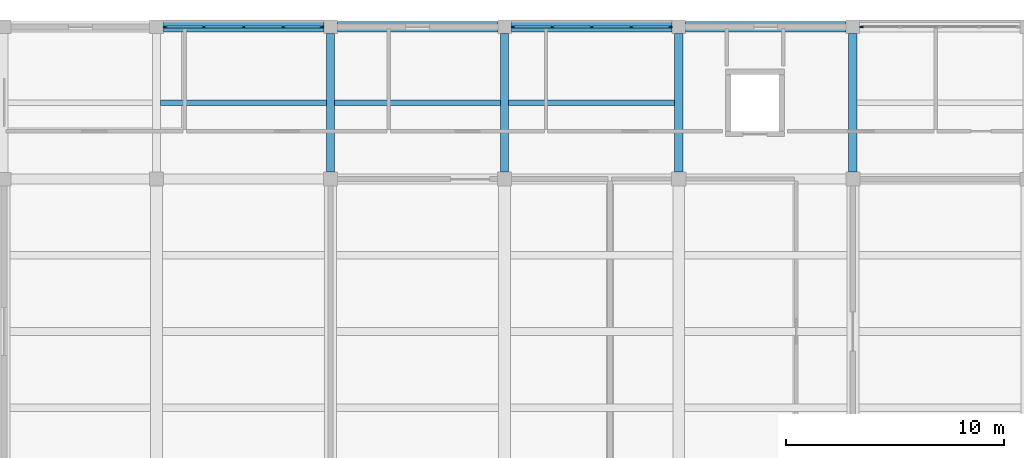
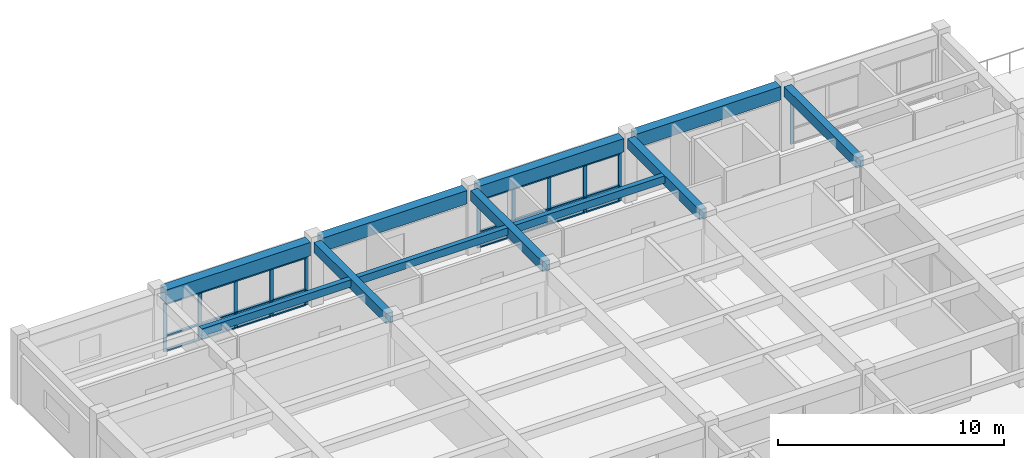
# One storey, part 7 of 22: 35 members, 11 beams, 3 elements without a shape of their own.
"""IFC4 building model written with IfcOpenShell, lengths in metres."""

import ifcopenshell
import ifcopenshell.guid

model = None  # the IFC model being written
_history = None  # IfcOwnerHistory: only IFC2X3 demands one
_inside = {}  # id of a spatial element -> (the spatial element, [elements in it])
_under = {}  # id of a project, library or spatial element -> (it, [spatial elements below it])
_declared = {}  # id of a project -> (the project, [libraries it declares])
_typed = {}  # id of a type object -> (the type object, [elements of that type])
_made_of = {}  # id of a material, layer set ... -> (it, [elements and type objects made of it])


def new_model(schema):
    """Start an empty IFC model of exactly this schema.

    Asked for "IFC4X3", IfcOpenShell would pick the latest addendum, in which some entities
    have other attributes; the version numbers below select the first issue.
    IFC2X3 requires an IfcOwnerHistory on every rooted entity: one is made here for all.
    """
    global model, _history
    if schema == "IFC4X3":
        model = ifcopenshell.file(schema_version=(4, 3, 0, 0))
    else:
        model = ifcopenshell.file(schema=schema)
    _inside.clear()
    _under.clear()
    _declared.clear()
    _typed.clear()
    _made_of.clear()
    _history = None
    if model.schema == "IFC2X3":
        org = make("IfcOrganization", Name="unknown")
        user = make(
            "IfcPersonAndOrganization",
            ThePerson=make("IfcPerson", FamilyName="unknown"),
            TheOrganization=org,
        )
        app = make(
            "IfcApplication",
            ApplicationDeveloper=org,
            Version="unknown",
            ApplicationFullName="unknown",
            ApplicationIdentifier="unknown",
        )
        _history = make(
            "IfcOwnerHistory",
            OwningUser=user,
            OwningApplication=app,
            ChangeAction="ADDED",
            CreationDate=0,
        )
    return model


def make(cls, **values):
    """One entity of the class cls with the attributes given. An attribute that is None is left unset."""
    return model.create_entity(
        cls, **{name: value for name, value in values.items() if value is not None}
    )


def rooted(cls, **values):
    """An entity with a GlobalId (a new one), such as an element, a storey or a relation."""
    return make(cls, GlobalId=ifcopenshell.guid.new(), OwnerHistory=_history, **values)


def si_unit(unit_type, name, prefix=None):
    """IfcSIUnit, for example si_unit("LENGTHUNIT", "METRE", prefix="MILLI")."""
    return make("IfcSIUnit", UnitType=unit_type, Prefix=prefix, Name=name)


def assignment(units):
    """IfcUnitAssignment: the units of a project."""
    return None if units is None else make("IfcUnitAssignment", Units=units)


def point(xyz):
    """IfcCartesianPoint."""
    return None if xyz is None else make("IfcCartesianPoint", Coordinates=xyz)


def direction(xyz):
    """IfcDirection."""
    return None if xyz is None else make("IfcDirection", DirectionRatios=xyz)


def frame(location, z_axis=None, x_axis=None):
    """IfcAxis2Placement3D, a coordinate frame: its origin and axes. An axis left out is left unset."""
    return make(
        "IfcAxis2Placement3D",
        Location=point(location),
        Axis=direction(z_axis),
        RefDirection=direction(x_axis),
    )


def frame_2d(location, x_axis=None):
    """IfcAxis2Placement2D, a coordinate frame in the plane: its origin and x axis."""
    return make(
        "IfcAxis2Placement2D", Location=point(location), RefDirection=direction(x_axis)
    )


def origin():
    """The frame at (0, 0, 0) with its axes left unset."""
    return frame((0.0, 0.0, 0.0))


def origin_2d():
    """The frame at (0, 0) in the plane with its x axis left unset."""
    return frame_2d((0.0, 0.0))


def place(relative_to, where):
    """IfcLocalPlacement: puts the frame where relative to a parent placement (None: the world)."""
    return make(
        "IfcLocalPlacement", PlacementRelTo=relative_to, RelativePlacement=where
    )


def context(
    kind, dimensions, precision=None, world=None, true_north=None, identifier=None
):
    """IfcGeometricRepresentationContext, for example the 3D "Model" context."""
    return make(
        "IfcGeometricRepresentationContext",
        ContextIdentifier=identifier,
        ContextType=kind,
        CoordinateSpaceDimension=dimensions,
        Precision=precision,
        WorldCoordinateSystem=world,
        TrueNorth=true_north,
    )


def subcontext(parent, identifier, kind, view, scale=None):
    """IfcGeometricRepresentationSubContext, for example "Body" below "Model"."""
    return make(
        "IfcGeometricRepresentationSubContext",
        ContextIdentifier=identifier,
        ContextType=kind,
        ParentContext=parent,
        TargetScale=scale,
        TargetView=view,
    )


def project(units=None, contexts=None):
    """IfcProject with its units and contexts."""
    return rooted(
        "IfcProject",
        Name="project",
        RepresentationContexts=contexts,
        UnitsInContext=assignment(units),
    )


def spatial(cls, under=None, at=None, **own):
    """A site, building, storey or space (cls), placed at a placement, below another one or the project."""
    s = rooted(cls, ObjectPlacement=at, **own)
    if under is not None:
        _under.setdefault(under.id(), (under, []))[1].append(s)
    return s


def profile(cls, at=None, kind="AREA", **sizes):
    """A parametric profile (cls). Its sizes go by their IFC names, for example OverallWidth=200.0."""
    return make(cls, ProfileType=kind, Position=at, **sizes)


def rectangle(**sizes):
    """IfcRectangleProfileDef."""
    return profile("IfcRectangleProfileDef", **sizes)


def extrude(swept, where, along, depth):
    """IfcExtrudedAreaSolid: the profile swept, set in the frame where, extruded along a direction by depth."""
    return make(
        "IfcExtrudedAreaSolid",
        SweptArea=swept,
        Position=where,
        ExtrudedDirection=direction(along),
        Depth=depth,
    )


def shape(context_of_items, identifier, shape_type, items):
    """IfcShapeRepresentation: the items that make up one representation, for example the "Body"."""
    return make(
        "IfcShapeRepresentation",
        ContextOfItems=context_of_items,
        RepresentationIdentifier=identifier,
        RepresentationType=shape_type,
        Items=items,
    )


def material(Name=None, Category=None):
    """IfcMaterial."""
    return make("IfcMaterial", Name=Name, Category=Category)


def layer(
    of_material, thickness, ventilated=None, Name=None, Category=None, Priority=None
):
    """IfcMaterialLayer: one layer of a wall or slab, of a material (None: an air gap)."""
    return make(
        "IfcMaterialLayer",
        Material=of_material,
        LayerThickness=thickness,
        IsVentilated=ventilated,
        Name=Name,
        Category=Category,
        Priority=Priority,
    )


def layer_set(layers, Name=None):
    """IfcMaterialLayerSet."""
    return make("IfcMaterialLayerSet", MaterialLayers=layers, LayerSetName=Name)


def material_profile(
    of_material, cross_section, Name=None, Category=None, Priority=None
):
    """IfcMaterialProfile: a cross section and its material."""
    return make(
        "IfcMaterialProfile",
        Name=Name,
        Material=of_material,
        Profile=cross_section,
        Priority=Priority,
        Category=Category,
    )


def profile_set(profiles, Name=None, composite=None):
    """IfcMaterialProfileSet."""
    return make(
        "IfcMaterialProfileSet",
        Name=Name,
        MaterialProfiles=profiles,
        CompositeProfile=composite,
    )


def made_of(thing, what):
    """Note that an element or type object is made of a material, layer set ...; save() writes the relation."""
    if what is not None:
        _made_of.setdefault(what.id(), (what, []))[1].append(thing)
    return thing


def type_object(cls, material=None, **own):
    """A type object (cls), such as IfcWallType, which elements share."""
    return made_of(rooted(cls, **own), material)


def element(
    cls,
    number,
    at=None,
    inside=None,
    cuts=None,
    type_object=None,
    material=None,
    context=None,
    identifier="Body",
    shape_type=None,
    held_by="IfcProductDefinitionShape",
    body=None,
    shapes=None,
    **own,
):
    """One element of the class cls, such as IfcWall. Its Tag is "e" and its number.

    at: its placement. inside: the storey or other place that contains it. cuts: it is an
    opening in that element (IfcRelVoidsElement). A single representation is given by context,
    identifier, shape_type and body (its items); several are given by shapes. held_by: the class
    of the entity that holds the representations. save() writes the other relations.
    """
    e = rooted(cls, Tag="e%d" % number, ObjectPlacement=at, **own)
    if body is not None:
        shapes = [shape(context, identifier, shape_type, body)]
    if shapes is not None:
        e.Representation = make(held_by, Representations=shapes)
    if inside is not None:
        _inside.setdefault(inside.id(), (inside, []))[1].append(e)
    if cuts is not None:
        rooted(
            "IfcRelVoidsElement", RelatingBuildingElement=cuts, RelatedOpeningElement=e
        )
    if type_object is not None:
        _typed.setdefault(type_object.id(), (type_object, []))[1].append(e)
    return made_of(e, material)


def aggregate(whole, parts):
    """IfcRelAggregates: a whole, such as a stair, and the parts it consists of."""
    return rooted("IfcRelAggregates", RelatingObject=whole, RelatedObjects=parts)


def save(model, path):
    """Write the relations noted so far, then the file.

    IfcRelAggregates (storeys below a building ...), IfcRelContainedInSpatialStructure (elements
    in a storey), IfcRelDefinesByType, IfcRelAssociatesMaterial and IfcRelDeclares: one each for
    every whole, place, type object, material and project.
    """
    for whole, parts in _under.values():
        aggregate(whole, parts)
    for where, things in _inside.values():
        rooted(
            "IfcRelContainedInSpatialStructure",
            RelatedElements=things,
            RelatingStructure=where,
        )
    for kind, things in _typed.values():
        rooted("IfcRelDefinesByType", RelatedObjects=things, RelatingType=kind)
    for what, things in _made_of.values():
        rooted("IfcRelAssociatesMaterial", RelatedObjects=things, RelatingMaterial=what)
    for by, libraries in _declared.values():
        rooted("IfcRelDeclares", RelatingContext=by, RelatedDefinitions=libraries)
    model.write(path)


model = new_model("IFC4")

# Units and contexts
model_context = context("Model", 3, precision=1e-05, world=origin(), true_north=direction((0.0, 1.0)))
body_context = subcontext(model_context, "Body", "Model", "MODEL_VIEW")
ifc_project = project(units=[si_unit("LENGTHUNIT", "METRE"), si_unit("AREAUNIT", "SQUARE_METRE"), si_unit("VOLUMEUNIT", "CUBIC_METRE"), si_unit("PLANEANGLEUNIT", "RADIAN"), si_unit("MASSUNIT", "GRAM", prefix="KILO")], contexts=[model_context])

# Site, building, storey
site_placement = place(None, origin())
site = spatial("IfcSite", under=ifc_project, at=site_placement, CompositionType="ELEMENT")
building_placement = place(site_placement, origin())
building = spatial("IfcBuilding", under=site, at=building_placement, Name="Naurynzar Civic Courthouse", CompositionType="ELEMENT")
storey_placement = place(building_placement, frame((0.0, 0.0, 25.800048828125)))
storey = spatial("IfcBuildingStorey", under=building, at=storey_placement, Name="L07", CompositionType="ELEMENT", Elevation=25.800048828125)

# Beams
ifc_material_1 = material(Name="Concrete C40/50", Category="concrete")
ifc_material_profile_1 = material_profile(ifc_material_1, rectangle(XDim=0.25, YDim=0.39990234375, at=origin_2d()), Name="RCB 250x400")
ifc_profile_set_1 = profile_set([ifc_material_profile_1], Name="Concrete C40/50")
beam_type_1 = type_object("IfcBeamType", Name="BM-JST-250x400", PredefinedType="JOIST", material=ifc_profile_set_1)
for number, where, z_axis, x_axis, name in (
    (1, (69.1875, 68.5, 3.27001953125), (1.0, 0.0, 0.0), (0.0, 1.0, 0.0), "V2 secondary rib 996 L07"),
    (2, (77.1875, 68.5, 3.27001953125), (1.0, 0.0, 0.0), (0.0, 1.0, 0.0), "V2 secondary rib 997 L07"),
    (3, (85.1875, 68.5, 3.27001953125), (1.0, 0.0, 0.0), (0.0, 1.0, 0.0), "V2 secondary rib 998 L07"),
):
    element("IfcBeam", number, at=place(storey_placement, frame(where, z_axis=z_axis, x_axis=x_axis)), inside=storey, type_object=beam_type_1, Name=name, PredefinedType="JOIST", context=body_context, shape_type="SweptSolid", body=[
        extrude(rectangle(XDim=0.25, YDim=0.39990234375, at=origin_2d()), origin(), (0.0, 0.0, 1.0), 7.625),
    ])
ifc_material_2 = material(Name="Concrete C40/50", Category="concrete")
ifc_material_profile_2 = material_profile(ifc_material_2, rectangle(XDim=0.375, YDim=0.550048828125, at=origin_2d()), Name="RCB 375x550")
ifc_profile_set_2 = profile_set([ifc_material_profile_2], Name="Concrete C40/50")
beam_type_2 = type_object("IfcBeamType", Name="BM-RC-375x550", PredefinedType="BEAM", material=ifc_profile_set_2)
for number, where, z_axis, x_axis, name in (
    (4, (77.0, 65.324951171875, 3.195068359375), (0.0, 1.0, 0.0), (-1.0, 0.0, 0.0), "V2 girder Y-962 L07"),
    (5, (85.0, 65.324951171875, 3.195068359375), (0.0, 1.0, 0.0), (-1.0, 0.0, 0.0), "V2 girder Y-965 L07"),
    (6, (93.0, 65.324951171875, 3.195068359375), (0.0, 1.0, 0.0), (-1.0, 0.0, 0.0), "V2 girder Y-968 L07"),
    (7, (101.0, 65.324951171875, 3.195068359375), (0.0, 1.0, 0.0), (-1.0, 0.0, 0.0), "V2 girder Y-971 L07"),
):
    element("IfcBeam", number, at=place(storey_placement, frame(where, z_axis=z_axis, x_axis=x_axis)), inside=storey, type_object=beam_type_2, Name=name, PredefinedType="BEAM", context=body_context, shape_type="SweptSolid", body=[
        extrude(rectangle(XDim=0.375, YDim=0.550048828125, at=origin_2d()), origin(), (0.0, 0.0, 1.0), 6.362548828125),
    ])
ifc_material_3 = material(Name="Concrete C40/50", Category="concrete")
ifc_material_profile_3 = material_profile(ifc_material_3, rectangle(XDim=0.47509765625, YDim=0.72509765625, at=origin_2d()), Name="RCB 475x725")
ifc_profile_set_3 = profile_set([ifc_material_profile_3], Name="Concrete C40/50")
beam_type_3 = type_object("IfcBeamType", Name="BM-RC-475x725", PredefinedType="SPANDREL", material=ifc_profile_set_3)
for number, where, z_axis, x_axis, name in (
    (8, (69.3125, 72.0, 3.107421875), (1.0, 0.0, 0.0), (0.0, 1.0, 0.0), "V2 beam X-949 L07"),
    (9, (77.3125, 72.0, 3.107421875), (1.0, 0.0, 0.0), (0.0, 1.0, 0.0), "V2 beam X-950 L07"),
    (10, (85.3125, 72.0, 3.107421875), (1.0, 0.0, 0.0), (0.0, 1.0, 0.0), "V2 beam X-951 L07"),
    (11, (93.3125, 72.0, 3.107421875), (1.0, 0.0, 0.0), (0.0, 1.0, 0.0), "V2 beam X-952 L07"),
):
    element("IfcBeam", number, at=place(storey_placement, frame(where, z_axis=z_axis, x_axis=x_axis)), inside=storey, type_object=beam_type_3, Name=name, PredefinedType="SPANDREL", context=body_context, shape_type="SweptSolid", body=[
        extrude(rectangle(XDim=0.47509765625, YDim=0.72509765625, at=origin_2d()), origin(), (0.0, 0.0, 1.0), 7.375),
    ])

# Curtain wall, members
ifc_material_4 = material(Name="Aluminium 6063-T6", Category="aluminium")
ifc_layer = layer(ifc_material_4, 0.159912109375)
ifc_layer_set = layer_set([ifc_layer], Name="CW-UNIT-1800")
curtain_wall_type = type_object("IfcCurtainWallType", Name="CW-UNIT-1800", PredefinedType="NOTDEFINED", material=ifc_layer_set)
curtain_wall_1_placement = place(storey_placement, origin())
curtain_wall_1 = element("IfcCurtainWall", 12, at=curtain_wall_1_placement, inside=storey, type_object=curtain_wall_type, Name="V2 unitised curtain wall 48 L07", PredefinedType="NOTDEFINED")
ifc_material_5 = material(Name="Aluminium 6063-T6", Category="aluminium")
ifc_material_profile_4 = material_profile(ifc_material_5, rectangle(XDim=0.070068359375, YDim=0.179931640625, at=origin_2d()), Name="ALU MULLION 70x180")
ifc_profile_set_4 = profile_set([ifc_material_profile_4], Name="Aluminium 6063-T6")
member_type_1 = type_object("IfcMemberType", Name="CWM-70x180", PredefinedType="MULLION", material=ifc_profile_set_4)
member_1_placement = place(storey_placement, frame((69.3974609375, 72.0, 0.0), z_axis=(0.0, 0.0, 1.0), x_axis=(0.0, 1.0, 0.0)))
member_1 = element("IfcMember", 13, at=member_1_placement, type_object=member_type_1, Name="CW-02 mullion 1", PredefinedType="MULLION", context=body_context, shape_type="SweptSolid", body=[
    extrude(rectangle(XDim=0.070068359375, YDim=0.179931640625, at=origin_2d()), origin(), (0.0, 0.0, 1.0), 2.599853515625),
])
member_2_placement = place(storey_placement, frame((71.18115234375, 72.0, 0.0), z_axis=(0.0, 0.0, 1.0), x_axis=(0.0, 1.0, 0.0)))
member_2 = element("IfcMember", 14, at=member_2_placement, type_object=member_type_1, Name="CW-02 mullion 2", PredefinedType="MULLION", context=body_context, shape_type="SweptSolid", body=[
    extrude(rectangle(XDim=0.070068359375, YDim=0.179931640625, at=origin_2d()), origin(), (0.0, 0.0, 1.0), 2.599853515625),
])
member_3_placement = place(storey_placement, frame((73.0, 72.0, 0.0), z_axis=(0.0, 0.0, 1.0), x_axis=(0.0, 1.0, 0.0)))
member_3 = element("IfcMember", 15, at=member_3_placement, type_object=member_type_1, Name="CW-02 mullion 3", PredefinedType="MULLION", context=body_context, shape_type="SweptSolid", body=[
    extrude(rectangle(XDim=0.070068359375, YDim=0.179931640625, at=origin_2d()), origin(), (0.0, 0.0, 1.0), 2.599853515625),
])
member_4_placement = place(storey_placement, frame((74.81884765625, 72.0, 0.0), z_axis=(0.0, 0.0, 1.0), x_axis=(0.0, 1.0, 0.0)))
member_4 = element("IfcMember", 16, at=member_4_placement, type_object=member_type_1, Name="CW-02 mullion 4", PredefinedType="MULLION", context=body_context, shape_type="SweptSolid", body=[
    extrude(rectangle(XDim=0.070068359375, YDim=0.179931640625, at=origin_2d()), origin(), (0.0, 0.0, 1.0), 2.599853515625),
])
member_5_placement = place(storey_placement, frame((76.6025390625, 72.0, 0.0), z_axis=(0.0, 0.0, 1.0), x_axis=(0.0, 1.0, 0.0)))
member_5 = element("IfcMember", 17, at=member_5_placement, type_object=member_type_1, Name="CW-02 mullion 5", PredefinedType="MULLION", context=body_context, shape_type="SweptSolid", body=[
    extrude(rectangle(XDim=0.070068359375, YDim=0.179931640625, at=origin_2d()), origin(), (0.0, 0.0, 1.0), 2.599853515625),
])

curtain_wall_2_placement = place(storey_placement, origin())
curtain_wall_2 = element("IfcCurtainWall", 18, at=curtain_wall_2_placement, inside=storey, type_object=curtain_wall_type, Name="V2 unitised curtain wall 49 L07", PredefinedType="NOTDEFINED")
member_6_placement = place(storey_placement, frame((85.3974609375, 72.0, 0.0), z_axis=(0.0, 0.0, 1.0), x_axis=(0.0, 1.0, 0.0)))
member_6 = element("IfcMember", 19, at=member_6_placement, type_object=member_type_1, Name="CW-02 mullion 1", PredefinedType="MULLION", context=body_context, shape_type="SweptSolid", body=[
    extrude(rectangle(XDim=0.070068359375, YDim=0.179931640625, at=origin_2d()), origin(), (0.0, 0.0, 1.0), 2.599853515625),
])
member_7_placement = place(storey_placement, frame((87.18115234375, 72.0, 0.0), z_axis=(0.0, 0.0, 1.0), x_axis=(0.0, 1.0, 0.0)))
member_7 = element("IfcMember", 20, at=member_7_placement, type_object=member_type_1, Name="CW-02 mullion 2", PredefinedType="MULLION", context=body_context, shape_type="SweptSolid", body=[
    extrude(rectangle(XDim=0.070068359375, YDim=0.179931640625, at=origin_2d()), origin(), (0.0, 0.0, 1.0), 2.599853515625),
])
member_8_placement = place(storey_placement, frame((89.0, 72.0, 0.0), z_axis=(0.0, 0.0, 1.0), x_axis=(0.0, 1.0, 0.0)))
member_8 = element("IfcMember", 21, at=member_8_placement, type_object=member_type_1, Name="CW-02 mullion 3", PredefinedType="MULLION", context=body_context, shape_type="SweptSolid", body=[
    extrude(rectangle(XDim=0.070068359375, YDim=0.179931640625, at=origin_2d()), origin(), (0.0, 0.0, 1.0), 2.599853515625),
])
member_9_placement = place(storey_placement, frame((90.81884765625, 72.0, 0.0), z_axis=(0.0, 0.0, 1.0), x_axis=(0.0, 1.0, 0.0)))
member_9 = element("IfcMember", 22, at=member_9_placement, type_object=member_type_1, Name="CW-02 mullion 4", PredefinedType="MULLION", context=body_context, shape_type="SweptSolid", body=[
    extrude(rectangle(XDim=0.070068359375, YDim=0.179931640625, at=origin_2d()), origin(), (0.0, 0.0, 1.0), 2.599853515625),
])
member_10_placement = place(storey_placement, frame((92.6025390625, 72.0, 0.0), z_axis=(0.0, 0.0, 1.0), x_axis=(0.0, 1.0, 0.0)))
member_10 = element("IfcMember", 23, at=member_10_placement, type_object=member_type_1, Name="CW-02 mullion 5", PredefinedType="MULLION", context=body_context, shape_type="SweptSolid", body=[
    extrude(rectangle(XDim=0.070068359375, YDim=0.179931640625, at=origin_2d()), origin(), (0.0, 0.0, 1.0), 2.599853515625),
])

# Curtain wall, member
curtain_wall_3_placement = place(storey_placement, origin())
curtain_wall_3 = element("IfcCurtainWall", 24, at=curtain_wall_3_placement, inside=storey, type_object=curtain_wall_type, Name="V2 unitised curtain wall 50 L07", PredefinedType="NOTDEFINED")
member_11_placement = place(storey_placement, frame((101.3974609375, 72.0, 0.0), z_axis=(0.0, 0.0, 1.0), x_axis=(0.0, 1.0, 0.0)))
member_11 = element("IfcMember", 25, at=member_11_placement, type_object=member_type_1, Name="CW-02 mullion 1", PredefinedType="MULLION", context=body_context, shape_type="SweptSolid", body=[
    extrude(rectangle(XDim=0.070068359375, YDim=0.179931640625, at=origin_2d()), origin(), (0.0, 0.0, 1.0), 2.599853515625),
])
aggregate(curtain_wall_3, [member_11])

# Member
ifc_material_6 = material(Name="Aluminium 6063-T6", Category="aluminium")
ifc_material_profile_5 = material_profile(ifc_material_6, rectangle(XDim=0.1298828125, YDim=0.070068359375, at=origin_2d()), Name="ALU TRANSOM 70x130")
ifc_profile_set_5 = profile_set([ifc_material_profile_5], Name="Aluminium 6063-T6")
member_type_2 = type_object("IfcMemberType", Name="CWT-70x130", PredefinedType="USERDEFINED", material=ifc_profile_set_5)
member_12_placement = place(storey_placement, frame((69.4326171875, 72.0, 0.034912109375), z_axis=(1.0, 0.0, 0.0), x_axis=(0.0, 1.0, 0.0)))
member_12 = element("IfcMember", 26, at=member_12_placement, type_object=member_type_2, Name="CW-02 transom 1.1", ObjectType="TRANSOM", PredefinedType="USERDEFINED", context=body_context, shape_type="SweptSolid", body=[
    extrude(rectangle(XDim=0.1298828125, YDim=0.070068359375, at=origin_2d()), origin(), (0.0, 0.0, 1.0), 1.713623046875),
])

member_13_placement = place(storey_placement, frame((69.4326171875, 72.0, 0.849853515625), z_axis=(1.0, 0.0, 0.0), x_axis=(0.0, 1.0, 0.0)))
member_13 = element("IfcMember", 27, at=member_13_placement, type_object=member_type_2, Name="CW-02 transom 1.2", ObjectType="TRANSOM", PredefinedType="USERDEFINED", context=body_context, shape_type="SweptSolid", body=[
    extrude(rectangle(XDim=0.1298828125, YDim=0.070068359375, at=origin_2d()), origin(), (0.0, 0.0, 1.0), 1.713623046875),
])

member_14_placement = place(storey_placement, frame((69.4326171875, 72.0, 2.56494140625), z_axis=(1.0, 0.0, 0.0), x_axis=(0.0, 1.0, 0.0)))
member_14 = element("IfcMember", 28, at=member_14_placement, type_object=member_type_2, Name="CW-02 transom 1.3", ObjectType="TRANSOM", PredefinedType="USERDEFINED", context=body_context, shape_type="SweptSolid", body=[
    extrude(rectangle(XDim=0.1298828125, YDim=0.070068359375, at=origin_2d()), origin(), (0.0, 0.0, 1.0), 1.713623046875),
])

member_15_placement = place(storey_placement, frame((71.21630859375, 72.0, 0.034912109375), z_axis=(1.0, 0.0, 0.0), x_axis=(0.0, 1.0, 0.0)))
member_15 = element("IfcMember", 29, at=member_15_placement, type_object=member_type_2, Name="CW-02 transom 2.1", ObjectType="TRANSOM", PredefinedType="USERDEFINED", context=body_context, shape_type="SweptSolid", body=[
    extrude(rectangle(XDim=0.1298828125, YDim=0.070068359375, at=origin_2d()), origin(), (0.0, 0.0, 1.0), 1.748779296875),
])

member_16_placement = place(storey_placement, frame((71.21630859375, 72.0, 0.849853515625), z_axis=(1.0, 0.0, 0.0), x_axis=(0.0, 1.0, 0.0)))
member_16 = element("IfcMember", 30, at=member_16_placement, type_object=member_type_2, Name="CW-02 transom 2.2", ObjectType="TRANSOM", PredefinedType="USERDEFINED", context=body_context, shape_type="SweptSolid", body=[
    extrude(rectangle(XDim=0.1298828125, YDim=0.070068359375, at=origin_2d()), origin(), (0.0, 0.0, 1.0), 1.748779296875),
])

member_17_placement = place(storey_placement, frame((71.21630859375, 72.0, 2.56494140625), z_axis=(1.0, 0.0, 0.0), x_axis=(0.0, 1.0, 0.0)))
member_17 = element("IfcMember", 31, at=member_17_placement, type_object=member_type_2, Name="CW-02 transom 2.3", ObjectType="TRANSOM", PredefinedType="USERDEFINED", context=body_context, shape_type="SweptSolid", body=[
    extrude(rectangle(XDim=0.1298828125, YDim=0.070068359375, at=origin_2d()), origin(), (0.0, 0.0, 1.0), 1.748779296875),
])

member_18_placement = place(storey_placement, frame((73.034912109375, 72.0, 0.034912109375), z_axis=(1.0, 0.0, 0.0), x_axis=(0.0, 1.0, 0.0)))
member_18 = element("IfcMember", 32, at=member_18_placement, type_object=member_type_2, Name="CW-02 transom 3.1", ObjectType="TRANSOM", PredefinedType="USERDEFINED", context=body_context, shape_type="SweptSolid", body=[
    extrude(rectangle(XDim=0.1298828125, YDim=0.070068359375, at=origin_2d()), origin(), (0.0, 0.0, 1.0), 1.748779296875),
])

member_19_placement = place(storey_placement, frame((73.034912109375, 72.0, 0.849853515625), z_axis=(1.0, 0.0, 0.0), x_axis=(0.0, 1.0, 0.0)))
member_19 = element("IfcMember", 33, at=member_19_placement, type_object=member_type_2, Name="CW-02 transom 3.2", ObjectType="TRANSOM", PredefinedType="USERDEFINED", context=body_context, shape_type="SweptSolid", body=[
    extrude(rectangle(XDim=0.1298828125, YDim=0.070068359375, at=origin_2d()), origin(), (0.0, 0.0, 1.0), 1.748779296875),
])

member_20_placement = place(storey_placement, frame((73.034912109375, 72.0, 2.56494140625), z_axis=(1.0, 0.0, 0.0), x_axis=(0.0, 1.0, 0.0)))
member_20 = element("IfcMember", 34, at=member_20_placement, type_object=member_type_2, Name="CW-02 transom 3.3", ObjectType="TRANSOM", PredefinedType="USERDEFINED", context=body_context, shape_type="SweptSolid", body=[
    extrude(rectangle(XDim=0.1298828125, YDim=0.070068359375, at=origin_2d()), origin(), (0.0, 0.0, 1.0), 1.748779296875),
])

member_21_placement = place(storey_placement, frame((74.853759765625, 72.0, 0.034912109375), z_axis=(1.0, 0.0, 0.0), x_axis=(0.0, 1.0, 0.0)))
member_21 = element("IfcMember", 35, at=member_21_placement, type_object=member_type_2, Name="CW-02 transom 4.1", ObjectType="TRANSOM", PredefinedType="USERDEFINED", context=body_context, shape_type="SweptSolid", body=[
    extrude(rectangle(XDim=0.1298828125, YDim=0.070068359375, at=origin_2d()), origin(), (0.0, 0.0, 1.0), 1.713623046875),
])

member_22_placement = place(storey_placement, frame((74.853759765625, 72.0, 0.849853515625), z_axis=(1.0, 0.0, 0.0), x_axis=(0.0, 1.0, 0.0)))
member_22 = element("IfcMember", 36, at=member_22_placement, type_object=member_type_2, Name="CW-02 transom 4.2", ObjectType="TRANSOM", PredefinedType="USERDEFINED", context=body_context, shape_type="SweptSolid", body=[
    extrude(rectangle(XDim=0.1298828125, YDim=0.070068359375, at=origin_2d()), origin(), (0.0, 0.0, 1.0), 1.713623046875),
])

member_23_placement = place(storey_placement, frame((74.853759765625, 72.0, 2.56494140625), z_axis=(1.0, 0.0, 0.0), x_axis=(0.0, 1.0, 0.0)))
member_23 = element("IfcMember", 37, at=member_23_placement, type_object=member_type_2, Name="CW-02 transom 4.3", ObjectType="TRANSOM", PredefinedType="USERDEFINED", context=body_context, shape_type="SweptSolid", body=[
    extrude(rectangle(XDim=0.1298828125, YDim=0.070068359375, at=origin_2d()), origin(), (0.0, 0.0, 1.0), 1.713623046875),
])

aggregate(curtain_wall_1, [member_1, member_2, member_3, member_4, member_5, member_12, member_13, member_14, member_15, member_16, member_17, member_18, member_19, member_20, member_21, member_22, member_23])

member_24_placement = place(storey_placement, frame((85.4326171875, 72.0, 0.034912109375), z_axis=(1.0, 0.0, 0.0), x_axis=(0.0, 1.0, 0.0)))
member_24 = element("IfcMember", 38, at=member_24_placement, type_object=member_type_2, Name="CW-02 transom 1.1", ObjectType="TRANSOM", PredefinedType="USERDEFINED", context=body_context, shape_type="SweptSolid", body=[
    extrude(rectangle(XDim=0.1298828125, YDim=0.070068359375, at=origin_2d()), origin(), (0.0, 0.0, 1.0), 1.713623046875),
])

member_25_placement = place(storey_placement, frame((85.4326171875, 72.0, 0.849853515625), z_axis=(1.0, 0.0, 0.0), x_axis=(0.0, 1.0, 0.0)))
member_25 = element("IfcMember", 39, at=member_25_placement, type_object=member_type_2, Name="CW-02 transom 1.2", ObjectType="TRANSOM", PredefinedType="USERDEFINED", context=body_context, shape_type="SweptSolid", body=[
    extrude(rectangle(XDim=0.1298828125, YDim=0.070068359375, at=origin_2d()), origin(), (0.0, 0.0, 1.0), 1.713623046875),
])

member_26_placement = place(storey_placement, frame((85.4326171875, 72.0, 2.56494140625), z_axis=(1.0, 0.0, 0.0), x_axis=(0.0, 1.0, 0.0)))
member_26 = element("IfcMember", 40, at=member_26_placement, type_object=member_type_2, Name="CW-02 transom 1.3", ObjectType="TRANSOM", PredefinedType="USERDEFINED", context=body_context, shape_type="SweptSolid", body=[
    extrude(rectangle(XDim=0.1298828125, YDim=0.070068359375, at=origin_2d()), origin(), (0.0, 0.0, 1.0), 1.713623046875),
])

member_27_placement = place(storey_placement, frame((87.21630859375, 72.0, 0.034912109375), z_axis=(1.0, 0.0, 0.0), x_axis=(0.0, 1.0, 0.0)))
member_27 = element("IfcMember", 41, at=member_27_placement, type_object=member_type_2, Name="CW-02 transom 2.1", ObjectType="TRANSOM", PredefinedType="USERDEFINED", context=body_context, shape_type="SweptSolid", body=[
    extrude(rectangle(XDim=0.1298828125, YDim=0.070068359375, at=origin_2d()), origin(), (0.0, 0.0, 1.0), 1.748779296875),
])

member_28_placement = place(storey_placement, frame((87.21630859375, 72.0, 0.849853515625), z_axis=(1.0, 0.0, 0.0), x_axis=(0.0, 1.0, 0.0)))
member_28 = element("IfcMember", 42, at=member_28_placement, type_object=member_type_2, Name="CW-02 transom 2.2", ObjectType="TRANSOM", PredefinedType="USERDEFINED", context=body_context, shape_type="SweptSolid", body=[
    extrude(rectangle(XDim=0.1298828125, YDim=0.070068359375, at=origin_2d()), origin(), (0.0, 0.0, 1.0), 1.748779296875),
])

member_29_placement = place(storey_placement, frame((87.21630859375, 72.0, 2.56494140625), z_axis=(1.0, 0.0, 0.0), x_axis=(0.0, 1.0, 0.0)))
member_29 = element("IfcMember", 43, at=member_29_placement, type_object=member_type_2, Name="CW-02 transom 2.3", ObjectType="TRANSOM", PredefinedType="USERDEFINED", context=body_context, shape_type="SweptSolid", body=[
    extrude(rectangle(XDim=0.1298828125, YDim=0.070068359375, at=origin_2d()), origin(), (0.0, 0.0, 1.0), 1.748779296875),
])

member_30_placement = place(storey_placement, frame((89.034912109375, 72.0, 0.034912109375), z_axis=(1.0, 0.0, 0.0), x_axis=(0.0, 1.0, 0.0)))
member_30 = element("IfcMember", 44, at=member_30_placement, type_object=member_type_2, Name="CW-02 transom 3.1", ObjectType="TRANSOM", PredefinedType="USERDEFINED", context=body_context, shape_type="SweptSolid", body=[
    extrude(rectangle(XDim=0.1298828125, YDim=0.070068359375, at=origin_2d()), origin(), (0.0, 0.0, 1.0), 1.748779296875),
])

member_31_placement = place(storey_placement, frame((89.034912109375, 72.0, 0.849853515625), z_axis=(1.0, 0.0, 0.0), x_axis=(0.0, 1.0, 0.0)))
member_31 = element("IfcMember", 45, at=member_31_placement, type_object=member_type_2, Name="CW-02 transom 3.2", ObjectType="TRANSOM", PredefinedType="USERDEFINED", context=body_context, shape_type="SweptSolid", body=[
    extrude(rectangle(XDim=0.1298828125, YDim=0.070068359375, at=origin_2d()), origin(), (0.0, 0.0, 1.0), 1.748779296875),
])

member_32_placement = place(storey_placement, frame((89.034912109375, 72.0, 2.56494140625), z_axis=(1.0, 0.0, 0.0), x_axis=(0.0, 1.0, 0.0)))
member_32 = element("IfcMember", 46, at=member_32_placement, type_object=member_type_2, Name="CW-02 transom 3.3", ObjectType="TRANSOM", PredefinedType="USERDEFINED", context=body_context, shape_type="SweptSolid", body=[
    extrude(rectangle(XDim=0.1298828125, YDim=0.070068359375, at=origin_2d()), origin(), (0.0, 0.0, 1.0), 1.748779296875),
])

member_33_placement = place(storey_placement, frame((90.853759765625, 72.0, 0.034912109375), z_axis=(1.0, 0.0, 0.0), x_axis=(0.0, 1.0, 0.0)))
member_33 = element("IfcMember", 47, at=member_33_placement, type_object=member_type_2, Name="CW-02 transom 4.1", ObjectType="TRANSOM", PredefinedType="USERDEFINED", context=body_context, shape_type="SweptSolid", body=[
    extrude(rectangle(XDim=0.1298828125, YDim=0.070068359375, at=origin_2d()), origin(), (0.0, 0.0, 1.0), 1.713623046875),
])

member_34_placement = place(storey_placement, frame((90.853759765625, 72.0, 0.849853515625), z_axis=(1.0, 0.0, 0.0), x_axis=(0.0, 1.0, 0.0)))
member_34 = element("IfcMember", 48, at=member_34_placement, type_object=member_type_2, Name="CW-02 transom 4.2", ObjectType="TRANSOM", PredefinedType="USERDEFINED", context=body_context, shape_type="SweptSolid", body=[
    extrude(rectangle(XDim=0.1298828125, YDim=0.070068359375, at=origin_2d()), origin(), (0.0, 0.0, 1.0), 1.713623046875),
])

member_35_placement = place(storey_placement, frame((90.853759765625, 72.0, 2.56494140625), z_axis=(1.0, 0.0, 0.0), x_axis=(0.0, 1.0, 0.0)))
member_35 = element("IfcMember", 49, at=member_35_placement, type_object=member_type_2, Name="CW-02 transom 4.3", ObjectType="TRANSOM", PredefinedType="USERDEFINED", context=body_context, shape_type="SweptSolid", body=[
    extrude(rectangle(XDim=0.1298828125, YDim=0.070068359375, at=origin_2d()), origin(), (0.0, 0.0, 1.0), 1.713623046875),
])

aggregate(curtain_wall_2, [member_6, member_7, member_8, member_9, member_10, member_24, member_25, member_26, member_27, member_28, member_29, member_30, member_31, member_32, member_33, member_34, member_35])

save(model, "model.ifc")
